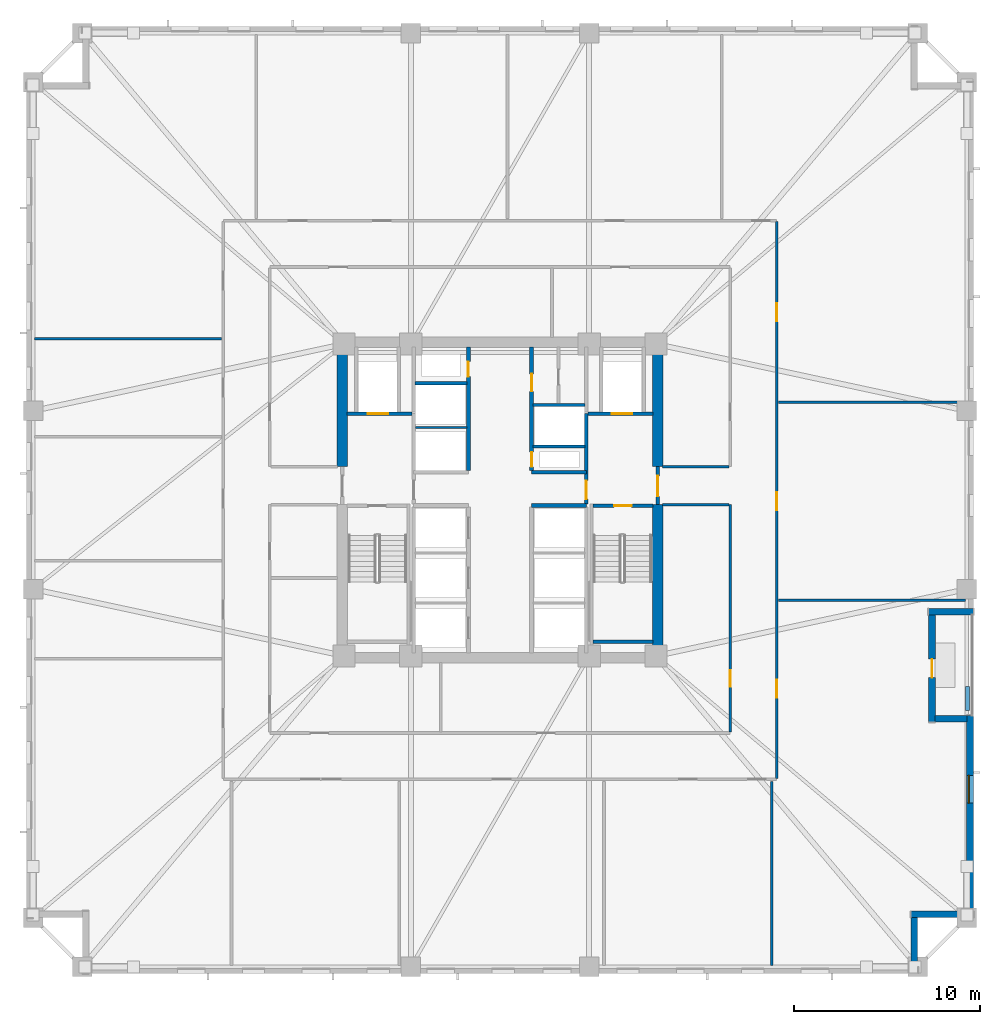
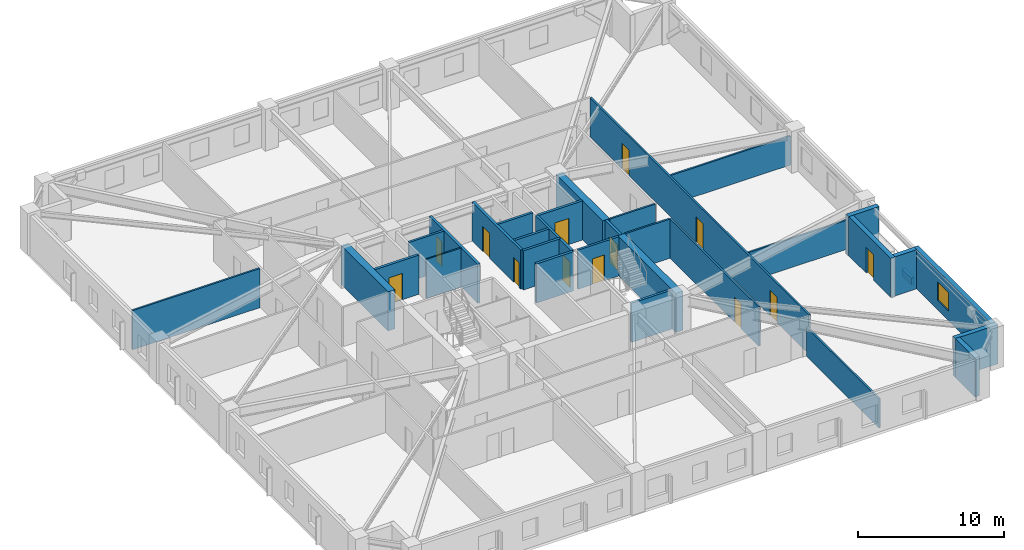
# One storey, part 4 of 11: 32 walls, 13 doors, 1 window, 14 openings.
"""IFC4 building model written with IfcOpenShell, lengths in metres."""

from ifc_helpers import new_model, si_unit, direction, frame, frame_2d, origin, place, context, subcontext, project, spatial, rectangle, extrude, material, layer, layer_set, type_object, element, fill, save


model = new_model("IFC4")

# Units and contexts
model_context = context("Model", 3, precision=1e-05, world=origin(), true_north=direction((0.0, 1.0)))
body_context = subcontext(model_context, "Body", "Model", "MODEL_VIEW")
ifc_project = project(units=[si_unit("LENGTHUNIT", "METRE"), si_unit("AREAUNIT", "SQUARE_METRE"), si_unit("VOLUMEUNIT", "CUBIC_METRE"), si_unit("PLANEANGLEUNIT", "RADIAN"), si_unit("MASSUNIT", "GRAM", prefix="KILO")], contexts=[model_context])

# Site, building, storey
site_placement = place(None, origin())
site = spatial("IfcSite", under=ifc_project, at=site_placement, CompositionType="ELEMENT")
building_placement = place(site_placement, origin())
building = spatial("IfcBuilding", under=site, at=building_placement, Name="Cairnveth Concourse Tower", CompositionType="ELEMENT")
storey_placement = place(building_placement, frame((0.0, 0.0, 58.5)))
storey = spatial("IfcBuildingStorey", under=building, at=storey_placement, Name="L15", CompositionType="ELEMENT", Elevation=58.5)

# Walls
ifc_material_1 = material(Name="Concrete N80 (80 MPa)", Category="concrete")
ifc_layer_1 = layer(ifc_material_1, 0.550048828125)
ifc_layer_set_1 = layer_set([ifc_layer_1], Name="Concrete N80 (80 MPa)")
wall_type_1 = type_object("IfcWallType", Name="CORE SHEAR WALL 550", PredefinedType="SHEAR", material=ifc_layer_set_1)
wall_1_placement = place(storey_placement, frame((43.5, 40.800048828125, 0.0), z_axis=(0.0, 0.0, 1.0), x_axis=(0.0, 1.0, 0.0)))
element("IfcWall", 1, at=wall_1_placement, inside=storey, type_object=wall_type_1, Name="Core West Shear Wall N L15", PredefinedType="SHEAR", context=body_context, shape_type="SweptSolid", body=[
    extrude(rectangle(XDim=6.43505859375, YDim=0.550048828125, at=frame_2d((3.217529296875, 0.0))), origin(), (0.0, 0.0, 1.0), 3.280029296875),
])
wall_2_placement = place(storey_placement, frame((60.5, 30.764892578125, 0.0), z_axis=(0.0, 0.0, 1.0), x_axis=(0.0, 1.0, 0.0)))
element("IfcWall", 2, at=wall_2_placement, inside=storey, type_object=wall_type_1, Name="Core East Shear Wall S L15", PredefinedType="SHEAR", context=body_context, shape_type="SweptSolid", body=[
    extrude(rectangle(XDim=7.985107421875, YDim=0.550048828125, at=frame_2d((3.99267578125, 0.0))), origin(), (0.0, 0.0, 1.0), 3.280029296875),
])
wall_3_placement = place(storey_placement, frame((60.5, 40.800048828125, 0.0), z_axis=(0.0, 0.0, 1.0), x_axis=(0.0, 1.0, 0.0)))
element("IfcWall", 3, at=wall_3_placement, inside=storey, type_object=wall_type_1, Name="Core East Shear Wall N L15", PredefinedType="SHEAR", context=body_context, shape_type="SweptSolid", body=[
    extrude(rectangle(XDim=6.43505859375, YDim=0.550048828125, at=frame_2d((3.217529296875, 0.0))), origin(), (0.0, 0.0, 1.0), 3.280029296875),
])
ifc_material_2 = material(Name="Concrete N50 (50 MPa)", Category="concrete")
ifc_layer_2 = layer(ifc_material_2, 0.179931640625)
ifc_layer_set_2 = layer_set([ifc_layer_2], Name="Concrete N50 (50 MPa)")
wall_type_2 = type_object("IfcWallType", Name="FIRE SHAFT WALL 180", PredefinedType="SOLIDWALL", material=ifc_layer_set_2)
wall_4_placement = place(storey_placement, frame((47.425048828125, 45.280029296875, 0.0), z_axis=(0.0, 0.0, 1.0), x_axis=(1.0, 0.0, 0.0)))
element("IfcWall", 4, at=wall_4_placement, inside=storey, type_object=wall_type_2, Name="Interior Wall IW-L15-033", PredefinedType="SOLIDWALL", context=body_context, shape_type="SweptSolid", body=[
    extrude(rectangle(XDim=2.7900390625, YDim=0.179931640625, at=frame_2d((1.39501953125, 0.0))), origin(), (0.0, 0.0, 1.0), 3.280029296875),
])
wall_5_placement = place(storey_placement, frame((53.784912109375, 41.8798828125, 0.0), z_axis=(0.0, 0.0, 1.0), x_axis=(1.0, 0.0, 0.0)))
element("IfcWall", 5, at=wall_5_placement, inside=storey, type_object=wall_type_2, Name="Interior Wall IW-L15-035", PredefinedType="SOLIDWALL", context=body_context, shape_type="SweptSolid", body=[
    extrude(rectangle(XDim=2.780029296875, YDim=0.179931640625, at=frame_2d((1.39013671875, 0.0))), origin(), (0.0, 0.0, 1.0), 3.280029296875),
])
wall_6_placement = place(storey_placement, frame((53.784912109375, 44.1201171875, 0.0), z_axis=(0.0, 0.0, 1.0), x_axis=(1.0, 0.0, 0.0)))
element("IfcWall", 6, at=wall_6_placement, inside=storey, type_object=wall_type_2, Name="Interior Wall IW-L15-036", PredefinedType="SOLIDWALL", context=body_context, shape_type="SweptSolid", body=[
    extrude(rectangle(XDim=2.7900390625, YDim=0.179931640625, at=frame_2d((1.39501953125, 0.0))), origin(), (0.0, 0.0, 1.0), 3.280029296875),
])

# Wall, opening, door
wall_7_placement = place(storey_placement, frame((57.0048828125, 38.68994140625, 0.0), z_axis=(0.0, 0.0, 1.0), x_axis=(1.0, 0.0, 0.0)))
wall_7 = element("IfcWall", 7, at=wall_7_placement, inside=storey, type_object=wall_type_2, Name="Stair ST-2 Shaft Wall NEAR L15", PredefinedType="SOLIDWALL", context=body_context, shape_type="SweptSolid", body=[
    extrude(rectangle(XDim=3.230224609375, YDim=0.179931640625, at=frame_2d((1.615234375, 0.0))), origin(), (0.0, 0.0, 1.0), 3.280029296875),
])
opening_1_placement = place(wall_7_placement, frame((1.139892578125, 0.0, 0.0)))
opening_1 = element("IfcOpeningElement", 8, at=opening_1_placement, cuts=wall_7, Name="Opening ID12", PredefinedType="OPENING", context=body_context, shape_type="SweptSolid", body=[
    extrude(rectangle(XDim=0.949951171875, YDim=2.14990234375, at=frame_2d((0.47509765625, 1.074951171875))), frame((0.0, 0.099853515625, 0.0), z_axis=(0.0, -1.0, 0.0), x_axis=(1.0, 0.0, 0.0)), (0.0, 0.0, 1.0), 0.199951171875),
])
ifc_material_3 = material(Name="Steel Grade 350", Category="steel")
door_type_1 = type_object("IfcDoorType", Name="FIRE STAIR DOOR 950X2150", OperationType="NOTDEFINED", PredefinedType="DOOR", material=ifc_material_3)
door_1_placement = place(opening_1_placement, origin())
door_1 = element("IfcDoor", 9, at=door_1_placement, inside=storey, type_object=door_type_1, Name="Stair ST-2 Fire Door L15", OperationType="SINGLE_SWING_RIGHT", OverallHeight=2.14990234375, OverallWidth=0.949951171875, PredefinedType="DOOR", context=body_context, shape_type="SweptSolid", body=[
    extrude(rectangle(XDim=0.949951171875, YDim=2.14990234375, at=frame_2d((0.47509765625, 1.074951171875))), frame((0.0, 0.02490234375, 0.0), z_axis=(0.0, -1.0, 0.0), x_axis=(1.0, 0.0, 0.0)), (0.0, 0.0, 1.0), 0.050048828125),
])
fill(opening_1, door_1)

# Walls
wall_8_placement = place(storey_placement, frame((57.0048828125, 31.360107421875, 0.0), z_axis=(0.0, 0.0, 1.0), x_axis=(1.0, 0.0, 0.0)))
element("IfcWall", 10, at=wall_8_placement, inside=storey, type_object=wall_type_2, Name="Stair ST-2 Shaft Wall FAR L15", PredefinedType="SOLIDWALL", context=body_context, shape_type="SweptSolid", body=[
    extrude(rectangle(XDim=3.230224609375, YDim=0.179931640625, at=frame_2d((1.615234375, 0.0))), origin(), (0.0, 0.0, 1.0), 3.280029296875),
])
ifc_layer_3 = layer(ifc_material_2, 0.199951171875)
ifc_layer_set_3 = layer_set([ifc_layer_3], Name="Concrete N50 (50 MPa)")
wall_type_3 = type_object("IfcWallType", Name="FIRE SHAFT WALL 200", PredefinedType="SOLIDWALL", material=ifc_layer_set_3)
for number, where, z_axis, x_axis, name in (
    (11, (53.699951171875, 38.699951171875, 0.0), (0.0, 0.0, 1.0), (1.0, 0.0, 0.0), "Interior Wall IW-L15-009"),
    (12, (53.699951171875, 40.5, 0.0), (0.0, 0.0, 1.0), (1.0, 0.0, 0.0), "Interior Wall IW-L15-010"),
):
    element("IfcWall", number, at=place(storey_placement, frame(where, z_axis=z_axis, x_axis=x_axis)), inside=storey, type_object=wall_type_3, Name=name, PredefinedType="SOLIDWALL", context=body_context, shape_type="SweptSolid", body=[
        extrude(rectangle(XDim=2.949951171875, YDim=0.199951171875, at=frame_2d((1.47509765625, 0.0))), origin(), (0.0, 0.0, 1.0), 3.280029296875),
    ])

# Wall, opening, door
wall_9_placement = place(storey_placement, frame((50.300048828125, 40.5849609375, 0.0), z_axis=(0.0, 0.0, 1.0), x_axis=(0.0, 1.0, 0.0)))
wall_9 = element("IfcWall", 13, at=wall_9_placement, inside=storey, type_object=wall_type_3, Name="Interior Wall IW-L15-013", PredefinedType="SOLIDWALL", context=body_context, shape_type="SweptSolid", body=[
    extrude(rectangle(XDim=6.655029296875, YDim=0.199951171875, at=frame_2d((3.32763671875, 0.0))), origin(), (0.0, 0.0, 1.0), 3.280029296875),
])
opening_2_placement = place(wall_9_placement, frame((5.06494140625, 0.0, 0.0)))
opening_2 = element("IfcOpeningElement", 14, at=opening_2_placement, cuts=wall_9, Name="Opening ID24", PredefinedType="OPENING", context=body_context, shape_type="SweptSolid", body=[
    extrude(rectangle(XDim=0.800048828125, YDim=2.080078125, at=frame_2d((0.39990234375, 1.0400390625))), frame((0.0, 0.10986328125, 0.0), z_axis=(0.0, -1.0, 0.0), x_axis=(1.0, 0.0, 0.0)), (0.0, 0.0, 1.0), 0.219970703125),
])
door_type_2 = type_object("IfcDoorType", Name="RISER ACCESS DOOR 800X2100", OperationType="NOTDEFINED", PredefinedType="DOOR", material=ifc_material_3)
door_2_placement = place(opening_2_placement, origin())
door_2 = element("IfcDoor", 15, at=door_2_placement, inside=storey, type_object=door_type_2, Name="NW Electrical Riser Access Door L15", OperationType="SINGLE_SWING_RIGHT", OverallHeight=2.080078125, OverallWidth=0.800048828125, PredefinedType="DOOR", context=body_context, shape_type="SweptSolid", body=[
    extrude(rectangle(XDim=0.800048828125, YDim=2.080078125, at=frame_2d((0.39990234375, 1.0400390625))), frame((0.0, 0.02490234375, 0.0), z_axis=(0.0, -1.0, 0.0), x_axis=(1.0, 0.0, 0.0)), (0.0, 0.0, 1.0), 0.050048828125),
])
fill(opening_2, door_2)

# Wall, openings, doors
wall_10_placement = place(storey_placement, frame((53.699951171875, 40.5849609375, 0.0), z_axis=(0.0, 0.0, 1.0), x_axis=(0.0, 1.0, 0.0)))
wall_10 = element("IfcWall", 16, at=wall_10_placement, inside=storey, type_object=wall_type_3, Name="Interior Wall IW-L15-014", PredefinedType="SOLIDWALL", context=body_context, shape_type="SweptSolid", body=[
    extrude(rectangle(XDim=6.655029296875, YDim=0.199951171875, at=frame_2d((3.32763671875, 0.0))), origin(), (0.0, 0.0, 1.0), 3.280029296875),
])
opening_3_placement = place(wall_10_placement, frame((0.195068359375, 0.0, 0.0)))
opening_3 = element("IfcOpeningElement", 17, at=opening_3_placement, cuts=wall_10, Name="Opening ID24", PredefinedType="OPENING", context=body_context, shape_type="SweptSolid", body=[
    extrude(rectangle(XDim=0.800048828125, YDim=2.080078125, at=frame_2d((0.39990234375, 1.0400390625))), frame((0.0, 0.10986328125, 0.0), z_axis=(0.0, -1.0, 0.0), x_axis=(1.0, 0.0, 0.0)), (0.0, 0.0, 1.0), 0.219970703125),
])
opening_4_placement = place(wall_10_placement, frame((4.264892578125, 0.0, 0.0)))
opening_4 = element("IfcOpeningElement", 18, at=opening_4_placement, cuts=wall_10, Name="Opening ID25", PredefinedType="OPENING", context=body_context, shape_type="SweptSolid", body=[
    extrude(rectangle(XDim=0.949951171875, YDim=2.1201171875, at=frame_2d((0.47509765625, 1.06005859375))), frame((0.0, 0.10986328125, 0.0), z_axis=(0.0, -1.0, 0.0), x_axis=(1.0, 0.0, 0.0)), (0.0, 0.0, 1.0), 0.219970703125),
])
door_type_3 = type_object("IfcDoorType", Name="CORE ACCESSIBLE FIRE DOOR 950X2120", OperationType="NOTDEFINED", PredefinedType="DOOR", material=ifc_material_3)
door_3_placement = place(opening_4_placement, origin())
door_3 = element("IfcDoor", 19, at=door_3_placement, inside=storey, type_object=door_type_3, Name="Core NE Restroom Door L15", OperationType="SINGLE_SWING_RIGHT", OverallHeight=2.1201171875, OverallWidth=0.949951171875, PredefinedType="DOOR", context=body_context, shape_type="SweptSolid", body=[
    extrude(rectangle(XDim=0.949951171875, YDim=2.1201171875, at=frame_2d((0.47509765625, 1.06005859375))), frame((0.0, 0.02490234375, 0.0), z_axis=(0.0, -1.0, 0.0), x_axis=(1.0, 0.0, 0.0)), (0.0, 0.0, 1.0), 0.050048828125),
])
fill(opening_4, door_3)
door_4_placement = place(opening_3_placement, origin())
door_4 = element("IfcDoor", 20, at=door_4_placement, inside=storey, type_object=door_type_2, Name="Hydraulic Riser Door L15", OperationType="SINGLE_SWING_LEFT", OverallHeight=2.080078125, OverallWidth=0.800048828125, PredefinedType="DOOR", context=body_context, shape_type="SweptSolid", body=[
    extrude(rectangle(XDim=0.800048828125, YDim=2.080078125, at=frame_2d((0.39990234375, 1.0400390625))), frame((0.0, 0.02490234375, 0.0), z_axis=(0.0, -1.0, 0.0), x_axis=(1.0, 0.0, 0.0)), (0.0, 0.0, 1.0), 0.050048828125),
])
fill(opening_3, door_4)

# Wall, opening, door
wall_11_placement = place(storey_placement, frame((43.760009765625, 43.64990234375, 0.0), z_axis=(0.0, 0.0, 1.0), x_axis=(1.0, 0.0, 0.0)))
wall_11 = element("IfcWall", 21, at=wall_11_placement, inside=storey, type_object=wall_type_3, Name="Interior Wall IW-L15-017", PredefinedType="SOLIDWALL", context=body_context, shape_type="SweptSolid", body=[
    extrude(rectangle(XDim=3.5048828125, YDim=0.199951171875, at=frame_2d((1.75244140625, 0.0))), origin(), (0.0, 0.0, 1.0), 3.280029296875),
])
opening_5_placement = place(wall_11_placement, frame((1.110107421875, 0.0, 0.0)))
opening_5 = element("IfcOpeningElement", 22, at=opening_5_placement, cuts=wall_11, Name="Opening LD-1", PredefinedType="OPENING", context=body_context, shape_type="SweptSolid", body=[
    extrude(rectangle(XDim=1.10009765625, YDim=2.199951171875, at=frame_2d((0.550048828125, 1.10009765625))), frame((0.0, 0.10986328125, 0.0), z_axis=(0.0, -1.0, 0.0), x_axis=(1.0, 0.0, 0.0)), (0.0, 0.0, 1.0), 0.219970703125),
])
ifc_material_4 = material(Name="Architectural Bronze Anodised Aluminium 6063-T6", Category="aluminium")
door_type_4 = type_object("IfcDoorType", Name="LIFT LANDING DOOR 1100X2200", OperationType="SLIDING_TO_LEFT", PredefinedType="DOOR", material=ifc_material_4)
door_5_placement = place(opening_5_placement, origin())
door_5 = element("IfcDoor", 23, at=door_5_placement, inside=storey, type_object=door_type_4, Name="Lift FFL1 Landing Door L15", OperationType="SLIDING_TO_LEFT", OverallHeight=2.199951171875, OverallWidth=1.10009765625, PredefinedType="DOOR", context=body_context, shape_type="SweptSolid", body=[
    extrude(rectangle(XDim=1.10009765625, YDim=2.199951171875, at=frame_2d((0.550048828125, 1.10009765625))), frame((0.0, 0.02490234375, 0.0), z_axis=(0.0, -1.0, 0.0), x_axis=(1.0, 0.0, 0.0)), (0.0, 0.0, 1.0), 0.050048828125),
])
fill(opening_5, door_5)

wall_12_placement = place(storey_placement, frame((60.5, 38.75, 0.0), z_axis=(0.0, 0.0, 1.0), x_axis=(0.0, 1.0, 0.0)))
wall_12 = element("IfcWall", 24, at=wall_12_placement, inside=storey, type_object=wall_type_3, Name="Interior Wall IW-L15-020", PredefinedType="SOLIDWALL", context=body_context, shape_type="SweptSolid", body=[
    extrude(rectangle(XDim=2.050048828125, YDim=0.199951171875, at=frame_2d((1.02490234375, 0.0))), origin(), (0.0, 0.0, 1.0), 3.280029296875),
])
opening_6_placement = place(wall_12_placement, frame((0.449951171875, 0.0, 0.0)))
opening_6 = element("IfcOpeningElement", 25, at=opening_6_placement, cuts=wall_12, Name="Opening ID06", PredefinedType="OPENING", context=body_context, shape_type="SweptSolid", body=[
    extrude(rectangle(XDim=1.10009765625, YDim=2.14990234375, at=frame_2d((0.550048828125, 1.074951171875))), frame((0.0, 0.10986328125, 0.0), z_axis=(0.0, -1.0, 0.0), x_axis=(1.0, 0.0, 0.0)), (0.0, 0.0, 1.0), 0.219970703125),
])
door_type_5 = type_object("IfcDoorType", Name="FIRE CORRIDOR DOOR 1100X2150", OperationType="NOTDEFINED", PredefinedType="DOOR", material=ifc_material_3)
door_6_placement = place(opening_6_placement, origin())
door_6 = element("IfcDoor", 26, at=door_6_placement, inside=storey, type_object=door_type_5, Name="East Wing to FF Lobby Door L15", OperationType="SINGLE_SWING_RIGHT", OverallHeight=2.14990234375, OverallWidth=1.10009765625, PredefinedType="DOOR", context=body_context, shape_type="SweptSolid", body=[
    extrude(rectangle(XDim=1.10009765625, YDim=2.14990234375, at=frame_2d((0.550048828125, 1.074951171875))), frame((0.0, 0.02490234375, 0.0), z_axis=(0.0, -1.0, 0.0), x_axis=(1.0, 0.0, 0.0)), (0.0, 0.0, 1.0), 0.050048828125),
])
fill(opening_6, door_6)

wall_13_placement = place(storey_placement, frame((56.64990234375, 38.784912109375, 0.0), z_axis=(0.0, 0.0, 1.0), x_axis=(0.0, 1.0, 0.0)))
wall_13 = element("IfcWall", 27, at=wall_13_placement, inside=storey, type_object=wall_type_3, Name="Interior Wall IW-L15-021", PredefinedType="SOLIDWALL", context=body_context, shape_type="SweptSolid", body=[
    extrude(rectangle(XDim=4.864990234375, YDim=0.199951171875, at=frame_2d((2.4326171875, 0.0))), origin(), (0.0, 0.0, 1.0), 3.280029296875),
])
opening_7_placement = place(wall_13_placement, frame((0.264892578125, 0.0, 0.0)))
opening_7 = element("IfcOpeningElement", 28, at=opening_7_placement, cuts=wall_13, Name="Opening ID07", PredefinedType="OPENING", context=body_context, shape_type="SweptSolid", body=[
    extrude(rectangle(XDim=1.0, YDim=2.14990234375, at=frame_2d((0.5, 1.074951171875))), frame((0.0, 0.10986328125, 0.0), z_axis=(0.0, -1.0, 0.0), x_axis=(1.0, 0.0, 0.0)), (0.0, 0.0, 1.0), 0.219970703125),
])
door_type_6 = type_object("IfcDoorType", Name="FIRE CORRIDOR DOOR 1000X2150", OperationType="NOTDEFINED", PredefinedType="DOOR", material=ifc_material_3)
door_7_placement = place(opening_7_placement, origin())
door_7 = element("IfcDoor", 29, at=door_7_placement, inside=storey, type_object=door_type_6, Name="FF Lobby East to Lift Lobby Door L15", OperationType="SINGLE_SWING_LEFT", OverallHeight=2.14990234375, OverallWidth=1.0, PredefinedType="DOOR", context=body_context, shape_type="SweptSolid", body=[
    extrude(rectangle(XDim=1.0, YDim=2.14990234375, at=frame_2d((0.5, 1.074951171875))), frame((0.0, 0.02490234375, 0.0), z_axis=(0.0, -1.0, 0.0), x_axis=(1.0, 0.0, 0.0)), (0.0, 0.0, 1.0), 0.050048828125),
])
fill(opening_7, door_7)

wall_14_placement = place(storey_placement, frame((56.735107421875, 43.64990234375, 0.0), z_axis=(0.0, 0.0, 1.0), x_axis=(1.0, 0.0, 0.0)))
wall_14 = element("IfcWall", 30, at=wall_14_placement, inside=storey, type_object=wall_type_3, Name="Interior Wall IW-L15-022", PredefinedType="SOLIDWALL", context=body_context, shape_type="SweptSolid", body=[
    extrude(rectangle(XDim=3.5048828125, YDim=0.199951171875, at=frame_2d((1.75244140625, 0.0))), origin(), (0.0, 0.0, 1.0), 3.280029296875),
])
opening_8_placement = place(wall_14_placement, frame((1.294921875, 0.0, 0.0)))
opening_8 = element("IfcOpeningElement", 31, at=opening_8_placement, cuts=wall_14, Name="Opening LD-1", PredefinedType="OPENING", context=body_context, shape_type="SweptSolid", body=[
    extrude(rectangle(XDim=1.10009765625, YDim=2.199951171875, at=frame_2d((0.550048828125, 1.10009765625))), frame((0.0, 0.10986328125, 0.0), z_axis=(0.0, -1.0, 0.0), x_axis=(1.0, 0.0, 0.0)), (0.0, 0.0, 1.0), 0.219970703125),
])
door_8_placement = place(opening_8_placement, origin())
door_8 = element("IfcDoor", 32, at=door_8_placement, inside=storey, type_object=door_type_4, Name="Lift FFL2 Landing Door L15", OperationType="SLIDING_TO_LEFT", OverallHeight=2.199951171875, OverallWidth=1.10009765625, PredefinedType="DOOR", context=body_context, shape_type="SweptSolid", body=[
    extrude(rectangle(XDim=1.10009765625, YDim=2.199951171875, at=frame_2d((0.550048828125, 1.10009765625))), frame((0.0, 0.02490234375, 0.0), z_axis=(0.0, -1.0, 0.0), x_axis=(1.0, 0.0, 0.0)), (0.0, 0.0, 1.0), 0.050048828125),
])
fill(opening_8, door_8)

# Wall, openings, doors
ifc_material_5 = material(Name="Gypsum Plasterboard Partition", Category="gypsum")
ifc_layer_4 = layer(ifc_material_5, 0.139892578125)
ifc_layer_set_4 = layer_set([ifc_layer_4], Name="Gypsum Plasterboard Partition")
wall_type_4 = type_object("IfcWallType", Name="GYPSUM STUD PARTITION 140", PredefinedType="PARTITIONING", material=ifc_layer_set_4)
wall_15_placement = place(storey_placement, frame((66.89990234375, 24.0048828125, 0.0), z_axis=(0.0, 0.0, 1.0), x_axis=(0.0, 1.0, 0.0)))
wall_15 = element("IfcWall", 33, at=wall_15_placement, inside=storey, type_object=wall_type_4, Name="Interior Wall IW-L15-041", PredefinedType="PARTITIONING", context=body_context, shape_type="SweptSolid", body=[
    extrude(rectangle(XDim=29.990234375, YDim=0.139892578125, at=frame_2d((14.9951171875, 0.0))), origin(), (0.0, 0.0, 1.0), 3.280029296875),
])
opening_9_placement = place(wall_15_placement, frame((4.343505859375, 0.0, 0.0)))
opening_9 = element("IfcOpeningElement", 34, at=opening_9_placement, cuts=wall_15, Name="Opening ID11", PredefinedType="OPENING", context=body_context, shape_type="SweptSolid", body=[
    extrude(rectangle(XDim=0.9599609375, YDim=2.1201171875, at=frame_2d((0.47998046875, 1.06005859375))), frame((0.0, 0.079833984375, 0.0), z_axis=(0.0, -1.0, 0.0), x_axis=(1.0, 0.0, 0.0)), (0.0, 0.0, 1.0), 0.159912109375),
])
opening_10_placement = place(wall_15_placement, frame((14.451904296875, 0.0, 0.0)))
opening_10 = element("IfcOpeningElement", 35, at=opening_10_placement, cuts=wall_15, Name="Opening ID11", PredefinedType="OPENING", context=body_context, shape_type="SweptSolid", body=[
    extrude(rectangle(XDim=0.9599609375, YDim=2.1201171875, at=frame_2d((0.47998046875, 1.06005859375))), frame((0.0, 0.079833984375, 0.0), z_axis=(0.0, -1.0, 0.0), x_axis=(1.0, 0.0, 0.0)), (0.0, 0.0, 1.0), 0.159912109375),
])
opening_11_placement = place(wall_15_placement, frame((24.623291015625, 0.0, 0.0)))
opening_11 = element("IfcOpeningElement", 36, at=opening_11_placement, cuts=wall_15, Name="Opening ID11", PredefinedType="OPENING", context=body_context, shape_type="SweptSolid", body=[
    extrude(rectangle(XDim=0.9599609375, YDim=2.1201171875, at=frame_2d((0.47998046875, 1.06005859375))), frame((0.0, 0.079833984375, 0.0), z_axis=(0.0, -1.0, 0.0), x_axis=(1.0, 0.0, 0.0)), (0.0, 0.0, 1.0), 0.159912109375),
])
ifc_material_6 = material(Name="Solid Core Hardwood Timber Leaf", Category="wood")
door_type_7 = type_object("IfcDoorType", Name="INTERIOR SINGLE DOOR 960X2150", OperationType="NOTDEFINED", PredefinedType="DOOR", material=ifc_material_6)
door_9_placement = place(opening_9_placement, origin())
door_9 = element("IfcDoor", 37, at=door_9_placement, inside=storey, type_object=door_type_7, Name="Office Door L15-E1", OperationType="SINGLE_SWING_LEFT", OverallHeight=2.1201171875, OverallWidth=0.9599609375, PredefinedType="DOOR", context=body_context, shape_type="SweptSolid", body=[
    extrude(rectangle(XDim=0.9599609375, YDim=2.1201171875, at=frame_2d((0.47998046875, 1.06005859375))), frame((0.0, 0.02490234375, 0.0), z_axis=(0.0, -1.0, 0.0), x_axis=(1.0, 0.0, 0.0)), (0.0, 0.0, 1.0), 0.050048828125),
])
fill(opening_9, door_9)
door_10_placement = place(opening_10_placement, origin())
door_10 = element("IfcDoor", 38, at=door_10_placement, inside=storey, type_object=door_type_7, Name="Office Door L15-E2", OperationType="SINGLE_SWING_RIGHT", OverallHeight=2.1201171875, OverallWidth=0.9599609375, PredefinedType="DOOR", context=body_context, shape_type="SweptSolid", body=[
    extrude(rectangle(XDim=0.9599609375, YDim=2.1201171875, at=frame_2d((0.47998046875, 1.06005859375))), frame((0.0, 0.02490234375, 0.0), z_axis=(0.0, -1.0, 0.0), x_axis=(1.0, 0.0, 0.0)), (0.0, 0.0, 1.0), 0.050048828125),
])
fill(opening_10, door_10)
door_11_placement = place(opening_11_placement, origin())
door_11 = element("IfcDoor", 39, at=door_11_placement, inside=storey, type_object=door_type_7, Name="Office Door L15-E3", OperationType="SINGLE_SWING_LEFT", OverallHeight=2.1201171875, OverallWidth=0.9599609375, PredefinedType="DOOR", context=body_context, shape_type="SweptSolid", body=[
    extrude(rectangle(XDim=0.9599609375, YDim=2.1201171875, at=frame_2d((0.47998046875, 1.06005859375))), frame((0.0, 0.02490234375, 0.0), z_axis=(0.0, -1.0, 0.0), x_axis=(1.0, 0.0, 0.0)), (0.0, 0.0, 1.0), 0.050048828125),
])
fill(opening_11, door_11)

# Wall, opening, door
wall_16_placement = place(storey_placement, frame((64.39990234375, 26.5048828125, 0.0), z_axis=(0.0, 0.0, 1.0), x_axis=(0.0, 1.0, 0.0)))
wall_16 = element("IfcWall", 40, at=wall_16_placement, inside=storey, type_object=wall_type_4, Name="Interior Wall IW-L15-048", PredefinedType="PARTITIONING", context=body_context, shape_type="SweptSolid", body=[
    extrude(rectangle(XDim=12.2451171875, YDim=0.139892578125, at=frame_2d((6.12255859375, 0.0))), origin(), (0.0, 0.0, 1.0), 3.280029296875),
])
opening_12_placement = place(wall_16_placement, frame((2.445068359375, 0.0, 0.0)))
opening_12 = element("IfcOpeningElement", 41, at=opening_12_placement, cuts=wall_16, Name="Opening ID18", PredefinedType="OPENING", context=body_context, shape_type="SweptSolid", body=[
    extrude(rectangle(XDim=0.8798828125, YDim=2.10009765625, at=frame_2d((0.43994140625, 1.050048828125))), frame((0.0, 0.079833984375, 0.0), z_axis=(0.0, -1.0, 0.0), x_axis=(1.0, 0.0, 0.0)), (0.0, 0.0, 1.0), 0.159912109375),
])
door_type_8 = type_object("IfcDoorType", Name="INTERIOR SINGLE DOOR 880X2100", OperationType="NOTDEFINED", PredefinedType="DOOR", material=ifc_material_6)
door_12_placement = place(opening_12_placement, origin())
door_12 = element("IfcDoor", 42, at=door_12_placement, inside=storey, type_object=door_type_8, Name="Interior Door DR-L15-021", OperationType="SINGLE_SWING_LEFT", OverallHeight=2.10009765625, OverallWidth=0.8798828125, PredefinedType="DOOR", context=body_context, shape_type="SweptSolid", body=[
    extrude(rectangle(XDim=0.8798828125, YDim=2.10009765625, at=frame_2d((0.43994140625, 1.050048828125))), frame((0.0, 0.02490234375, 0.0), z_axis=(0.0, -1.0, 0.0), x_axis=(1.0, 0.0, 0.0)), (0.0, 0.0, 1.0), 0.050048828125),
])
fill(opening_12, door_12)

# Walls
for number, where, z_axis, x_axis, name in (
    (43, (60.760009765625, 38.75, 0.0), (0.0, 0.0, 1.0), (1.0, 0.0, 0.0), "Interior Wall IW-L15-050"),
    (44, (60.760009765625, 40.800048828125, 0.0), (0.0, 0.0, 1.0), (1.0, 0.0, 0.0), "Interior Wall IW-L15-051"),
):
    element("IfcWall", number, at=place(storey_placement, frame(where, z_axis=z_axis, x_axis=x_axis)), inside=storey, type_object=wall_type_4, Name=name, PredefinedType="PARTITIONING", context=body_context, shape_type="SweptSolid", body=[
        extrude(rectangle(XDim=3.5849609375, YDim=0.139892578125, at=frame_2d((1.79248046875, 0.0))), origin(), (0.0, 0.0, 1.0), 3.280029296875),
    ])
wall_17_placement = place(storey_placement, frame((66.64306640625, 13.919921875, 0.0), z_axis=(0.0, 0.0, 1.0), x_axis=(0.0, 1.0, 0.0)))
element("IfcWall", 45, at=wall_17_placement, inside=storey, type_object=wall_type_4, Name="Interior Wall IW-L15-058", PredefinedType="PARTITIONING", context=body_context, shape_type="SweptSolid", body=[
    extrude(rectangle(XDim=9.93017578125, YDim=0.139892578125, at=frame_2d((4.965087890625, 0.0))), origin(), (0.0, 0.0, 1.0), 2.43896484375),
])
wall_18_placement = place(storey_placement, frame((26.919921875, 47.6865234375, 0.0), z_axis=(0.0, 0.0, 1.0), x_axis=(1.0, 0.0, 0.0)))
element("IfcWall", 46, at=wall_18_placement, inside=storey, type_object=wall_type_4, Name="Interior Wall IW-L15-065", PredefinedType="PARTITIONING", context=body_context, shape_type="SweptSolid", body=[
    extrude(rectangle(XDim=10.080078125, YDim=0.139892578125, at=frame_2d((5.0400390625, 0.0))), origin(), (0.0, 0.0, 1.0), 3.280029296875),
])
for number, where, z_axis, x_axis, name in (
    (47, (67.0, 33.607177734375, 0.0), (0.0, 0.0, 1.0), (1.0, 0.0, 0.0), "Interior Wall IW-L15-066"),
    (48, (67.0, 44.266845703125, 0.0), (0.0, 0.0, 1.0), (1.0, 0.0, 0.0), "Interior Wall IW-L15-067"),
):
    element("IfcWall", number, at=place(storey_placement, frame(where, z_axis=z_axis, x_axis=x_axis)), inside=storey, type_object=wall_type_4, Name=name, PredefinedType="PARTITIONING", context=body_context, shape_type="SweptSolid", body=[
        extrude(rectangle(XDim=10.080078125, YDim=0.139892578125, at=frame_2d((5.0400390625, 0.0))), origin(), (0.0, 0.0, 1.0), 2.43896484375),
    ])
ifc_layer_5 = layer(ifc_material_5, 0.110107421875)
ifc_layer_set_5 = layer_set([ifc_layer_5], Name="Gypsum Plasterboard Partition")
wall_type_5 = type_object("IfcWallType", Name="SHAFT DIVIDER WALL 140", PredefinedType="PARTITIONING", material=ifc_layer_set_5)
wall_19_placement = place(storey_placement, frame((47.43505859375, 42.89990234375, 0.0), z_axis=(0.0, 0.0, 1.0), x_axis=(1.0, 0.0, 0.0)))
element("IfcWall", 49, at=wall_19_placement, inside=storey, type_object=wall_type_5, Name="Interior Wall IW-L15-032", PredefinedType="PARTITIONING", context=body_context, shape_type="SweptSolid", body=[
    extrude(rectangle(XDim=2.780029296875, YDim=0.110107421875, at=frame_2d((1.39013671875, 0.0))), origin(), (0.0, 0.0, 1.0), 3.280029296875),
])
ifc_material_7 = material(Name="Dressed Melbourne Bluestone Cladding", Category="masonry")
ifc_layer_6 = layer(ifc_material_7, 0.219970703125)
ifc_layer_set_6 = layer_set([ifc_layer_6], Name="Dressed Melbourne Bluestone Cladding")
wall_type_6 = type_object("IfcWallType", Name="TERRACE PLANTER CURB WALL 220", PredefinedType="PARAPET", material=ifc_layer_set_6)
wall_20_placement = place(storey_placement, frame((77.179931640625, 27.64990234375, 0.0), z_axis=(0.0, 0.0, 1.0), x_axis=(0.0, 1.0, 0.0)))
element("IfcWall", 50, at=wall_20_placement, inside=storey, type_object=wall_type_6, Name="Exterior Wall PLNT-L15-TERR", PredefinedType="PARAPET", context=body_context, shape_type="SweptSolid", body=[
    extrude(rectangle(XDim=1.300048828125, YDim=0.219970703125, at=frame_2d((0.64990234375, 0.0))), origin(), (0.0, 0.0, 1.0), 0.550048828125),
])

# Wall, opening, window
ifc_material_8 = material(Name="Hawthorn Red-Ochre Fired Clay Brick Masonry", Category="masonry")
ifc_layer_7 = layer(ifc_material_8, 0.360107421875)
ifc_layer_set_7 = layer_set([ifc_layer_7], Name="Hawthorn Red-Ochre Fired Clay Brick Masonry")
wall_type_7 = type_object("IfcWallType", Name="ZONE 1 BRICK PIER SPANDREL WALL 360", PredefinedType="SOLIDWALL", material=ifc_layer_set_7)
wall_21_placement = place(storey_placement, frame((77.320068359375, 27.39990234375, 0.0), z_axis=(0.0, 0.0, 1.0), x_axis=(0.0, -1.0, 0.0)))
wall_21 = element("IfcWall", 51, at=wall_21_placement, inside=storey, type_object=wall_type_7, Name="Exterior Wall EW-L15-S00", PredefinedType="SOLIDWALL", context=body_context, shape_type="SweptSolid", body=[
    extrude(rectangle(XDim=10.56201171875, YDim=0.360107421875, at=frame_2d((5.281005859375, 0.0))), origin(), (0.0, 0.0, 1.0), 3.280029296875),
])
opening_13_placement = place(wall_21_placement, frame((3.23095703125, 0.0, 0.800048828125)))
opening_13 = element("IfcOpeningElement", 52, at=opening_13_placement, cuts=wall_21, Name="Opening W03", PredefinedType="OPENING", context=body_context, shape_type="SweptSolid", body=[
    extrude(rectangle(XDim=1.5, YDim=1.5439453125, at=frame_2d((0.75, 0.77197265625))), frame((0.0, 0.18994140625, 0.0), z_axis=(0.0, -1.0, 0.0), x_axis=(1.0, 0.0, 0.0)), (0.0, 0.0, 1.0), 0.380126953125),
])
ifc_material_9 = material(Name="Double Glazed Low-E Clear Glass", Category="glass")
window_type = type_object("IfcWindowType", Name="DEEP-SET GOTHIC LANCET WINDOW 1500X1800", PartitioningType="DOUBLE_PANEL_VERTICAL", PredefinedType="WINDOW", material=ifc_material_9)
window_placement = place(opening_13_placement, origin())
window = element("IfcWindow", 53, at=window_placement, inside=storey, type_object=window_type, Name="Gothic Lancet Window L15-0-1", OverallHeight=1.5439453125, OverallWidth=1.5, PartitioningType="SINGLE_PANEL", PredefinedType="WINDOW", context=body_context, shape_type="SweptSolid", body=[
    extrude(rectangle(XDim=1.5, YDim=1.5439453125, at=frame_2d((0.75, 0.77197265625))), frame((0.0, -0.050048828125, 0.0), z_axis=(0.0, -1.0, 0.0), x_axis=(1.0, 0.0, 0.0)), (0.0, 0.0, 1.0), 0.06005859375),
])
fill(opening_13, window)

# Walls
wall_22_placement = place(storey_placement, frame((77.5, 16.679931640625, 0.0), z_axis=(0.0, 0.0, 1.0), x_axis=(-1.0, 0.0, 0.0)))
element("IfcWall", 54, at=wall_22_placement, inside=storey, type_object=wall_type_7, Name="Exterior Wall EW-L15-S01", PredefinedType="SOLIDWALL", context=body_context, shape_type="SweptSolid", body=[
    extrude(rectangle(XDim=3.360107421875, YDim=0.360107421875, at=frame_2d((1.68017578125, 0.0))), origin(), (0.0, 0.0, 1.0), 3.280029296875),
])
wall_23_placement = place(storey_placement, frame((74.320068359375, 16.52197265625, 0.0), z_axis=(0.0, 0.0, 1.0), x_axis=(0.0, -1.0, 0.0)))
element("IfcWall", 55, at=wall_23_placement, inside=storey, type_object=wall_type_7, Name="Exterior Wall EW-L15-S02", PredefinedType="SOLIDWALL", context=body_context, shape_type="SweptSolid", body=[
    extrude(rectangle(XDim=2.68408203125, YDim=0.360107421875, at=frame_2d((1.342041015625, 0.0))), origin(), (0.0, 0.0, 1.0), 3.280029296875),
])
wall_24_placement = place(storey_placement, frame((77.5, 32.97998046875, 0.0), z_axis=(0.0, 0.0, 1.0), x_axis=(-1.0, 0.0, 0.0)))
element("IfcWall", 56, at=wall_24_placement, inside=storey, type_object=wall_type_7, Name="Exterior Wall EW-L15-S13", PredefinedType="SOLIDWALL", context=body_context, shape_type="SweptSolid", body=[
    extrude(rectangle(XDim=2.409912109375, YDim=0.360107421875, at=frame_2d((1.205078125, 0.0))), origin(), (0.0, 0.0, 1.0), 3.280029296875),
])

# Wall, opening, door
wall_25_placement = place(storey_placement, frame((75.27001953125, 32.822021484375, 0.0), z_axis=(0.0, 0.0, 1.0), x_axis=(0.0, -1.0, 0.0)))
wall_25 = element("IfcWall", 57, at=wall_25_placement, inside=storey, type_object=wall_type_7, Name="Exterior Wall EW-L15-S14", PredefinedType="SOLIDWALL", context=body_context, shape_type="SweptSolid", body=[
    extrude(rectangle(XDim=5.781982421875, YDim=0.360107421875, at=frame_2d((2.89111328125, 0.0))), origin(), (0.0, 0.0, 1.0), 3.280029296875),
])
opening_14_placement = place(wall_25_placement, frame((2.39111328125, 0.0, 0.0)))
opening_14 = element("IfcOpeningElement", 58, at=opening_14_placement, cuts=wall_25, Name="Opening ED4", PredefinedType="OPENING", context=body_context, shape_type="SweptSolid", body=[
    extrude(rectangle(XDim=1.0, YDim=2.14990234375, at=frame_2d((0.5, 1.074951171875))), frame((0.0, 0.18994140625, 0.0), z_axis=(0.0, -1.0, 0.0), x_axis=(1.0, 0.0, 0.0)), (0.0, 0.0, 1.0), 0.380126953125),
])
door_type_9 = type_object("IfcDoorType", Name="TERRACE GLAZED DOOR 1000X2150", OperationType="NOTDEFINED", PredefinedType="DOOR", material=ifc_material_4)
door_13_placement = place(opening_14_placement, origin())
door_13 = element("IfcDoor", 59, at=door_13_placement, inside=storey, type_object=door_type_9, Name="Spiral Terrace Door L15", OperationType="SINGLE_SWING_RIGHT", OverallHeight=2.14990234375, OverallWidth=1.0, PredefinedType="DOOR", context=body_context, shape_type="SweptSolid", body=[
    extrude(rectangle(XDim=1.0, YDim=2.14990234375, at=frame_2d((0.5, 1.074951171875))), frame((0.0, 0.02490234375, 0.0), z_axis=(0.0, -1.0, 0.0), x_axis=(1.0, 0.0, 0.0)), (0.0, 0.0, 1.0), 0.050048828125),
])
fill(opening_14, door_13)

# Wall
wall_26_placement = place(storey_placement, frame((75.427978515625, 27.219970703125, 0.0), z_axis=(0.0, 0.0, 1.0), x_axis=(1.0, 0.0, 0.0)))
element("IfcWall", 60, at=wall_26_placement, inside=storey, type_object=wall_type_7, Name="Exterior Wall EW-L15-S15", PredefinedType="SOLIDWALL", context=body_context, shape_type="SweptSolid", body=[
    extrude(rectangle(XDim=1.734130859375, YDim=0.360107421875, at=frame_2d((0.8671875, 0.0))), origin(), (0.0, 0.0, 1.0), 3.280029296875),
])

save(model, "model.ifc")
